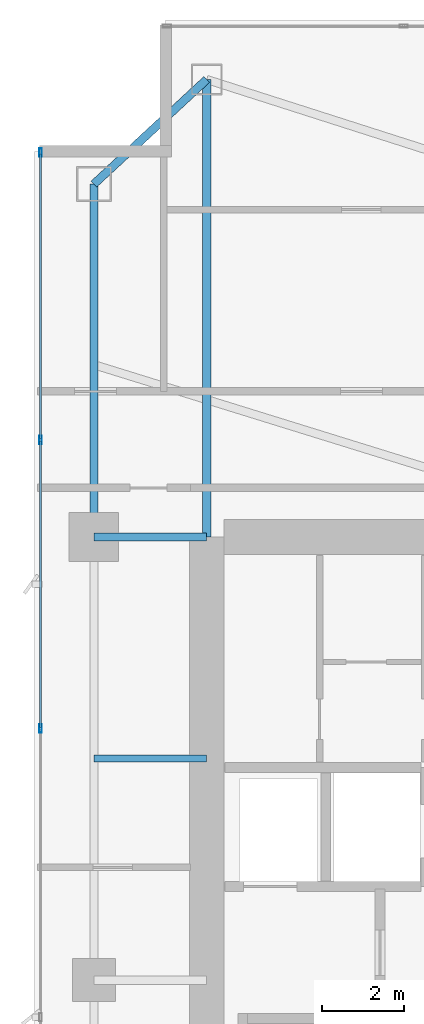
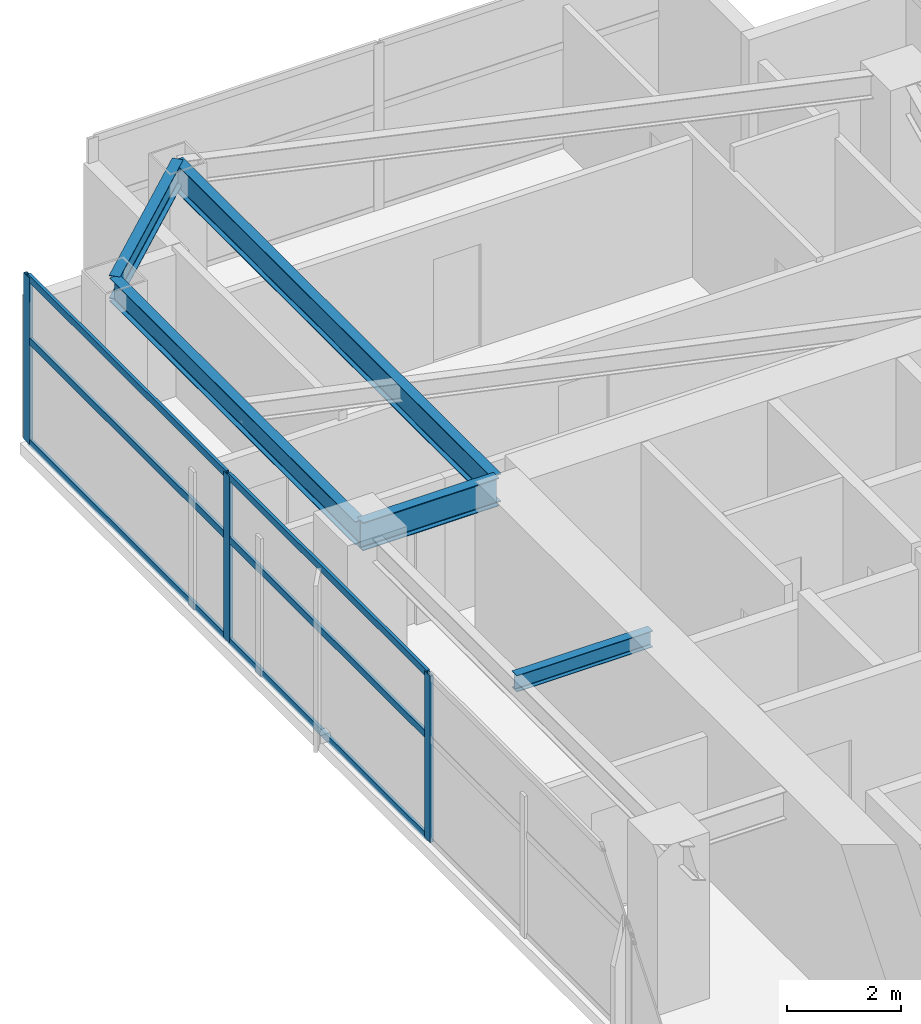
# One storey, part 16 of 29: 9 members, 5 beams, 1 element without a shape of its own.
"""IFC4 building model written with IfcOpenShell, lengths in metres."""

from ifc_helpers import new_model, si_unit, direction, frame, origin, origin_2d, place, context, subcontext, project, spatial, hollow_rectangle, i_section, extrude, material, layer, layer_set, material_profile, profile_set, type_object, element, aggregate, save


model = new_model("IFC4")

# Units and contexts
model_context = context("Model", 3, precision=1e-05, world=origin(), true_north=direction((0.0, 1.0)))
body_context = subcontext(model_context, "Body", "Model", "MODEL_VIEW")
ifc_project = project(units=[si_unit("LENGTHUNIT", "METRE"), si_unit("AREAUNIT", "SQUARE_METRE"), si_unit("VOLUMEUNIT", "CUBIC_METRE"), si_unit("PLANEANGLEUNIT", "RADIAN"), si_unit("MASSUNIT", "GRAM", prefix="KILO")], contexts=[model_context])

# Site, building, storey
site_placement = place(None, origin())
site = spatial("IfcSite", under=ifc_project, at=site_placement, CompositionType="ELEMENT")
building_placement = place(site_placement, origin())
building = spatial("IfcBuilding", under=site, at=building_placement, Name="Calvorn Quay Hotel", CompositionType="ELEMENT")
storey_placement = place(building_placement, frame((0.0, 0.0, 167.5)))
storey = spatial("IfcBuildingStorey", under=building, at=storey_placement, Name="L41", CompositionType="ELEMENT", Elevation=167.5)

# Beams
ifc_material_1 = material(Name="Steel Q355B", Category="steel")
ifc_material_profile_1 = material_profile(ifc_material_1, i_section(OverallWidth=0.199951171875, OverallDepth=0.60009765625, WebThickness=0.010986328125, FlangeThickness=0.01708984375, FilletRadius=0.01806640625, at=origin_2d()), Name="HN600x200x11x17")
ifc_profile_set_1 = profile_set([ifc_material_profile_1], Name="Steel Q355B")
beam_type_1 = type_object("IfcBeamType", Name="BM-GIRD-TYP", PredefinedType="BEAM", material=ifc_profile_set_1)
beam_1_placement = place(storey_placement, frame((1.449951171875, 38.39990234375, 3.239990234375), z_axis=(1.0, 0.0, 0.0), x_axis=(0.0, 1.0, 0.0)))
element("IfcBeam", 1, at=beam_1_placement, inside=storey, type_object=beam_type_1, Name="Beam BG-L41-W3", PredefinedType="BEAM", context=body_context, shape_type="SweptSolid", body=[
    extrude(i_section(OverallWidth=0.199951171875, OverallDepth=0.60009765625, WebThickness=0.010986328125, FlangeThickness=0.01708984375, FilletRadius=0.01806640625, at=origin_2d()), origin(), (0.0, 0.0, 1.0), 2.75),
])
beam_2_placement = place(storey_placement, frame((4.199951171875, 49.550048828125, 3.239990234375), z_axis=(0.0, -1.0, 0.0), x_axis=(1.0, 0.0, 0.0)))
element("IfcBeam", 2, at=beam_2_placement, inside=storey, type_object=beam_type_1, Name="Beam BG-L41-W5", PredefinedType="BEAM", context=body_context, shape_type="SweptSolid", body=[
    extrude(i_section(OverallWidth=0.199951171875, OverallDepth=0.60009765625, WebThickness=0.010986328125, FlangeThickness=0.01708984375, FilletRadius=0.01806640625, at=origin_2d()), origin(), (0.0, 0.0, 1.0), 11.150146484375),
])
ifc_material_2 = material(Name="Steel Q355B", Category="steel")
ifc_material_profile_2 = material_profile(ifc_material_2, i_section(OverallWidth=0.175048828125, OverallDepth=0.35009765625, WebThickness=0.007080078125, FlangeThickness=0.010986328125, FilletRadius=0.013916015625, at=origin_2d()), Name="HN350x175x7x11")
ifc_profile_set_2 = profile_set([ifc_material_profile_2], Name="Steel Q355B")
beam_type_2 = type_object("IfcBeamType", Name="BM-JOIST-SEC", PredefinedType="JOIST", material=ifc_profile_set_2)
beam_3_placement = place(storey_placement, frame((1.449951171875, 33.0, 3.364990234375), z_axis=(1.0, 0.0, 0.0), x_axis=(0.0, 1.0, 0.0)))
element("IfcBeam", 3, at=beam_3_placement, inside=storey, type_object=beam_type_2, Name="Beam BJ-L41-W4", PredefinedType="JOIST", context=body_context, shape_type="SweptSolid", body=[
    extrude(i_section(OverallWidth=0.175048828125, OverallDepth=0.35009765625, WebThickness=0.007080078125, FlangeThickness=0.010986328125, FilletRadius=0.013916015625, at=origin_2d()), origin(), (0.0, 0.0, 1.0), 2.75),
])
ifc_material_3 = material(Name="Steel Q355B", Category="steel")
ifc_material_profile_3 = material_profile(ifc_material_3, i_section(OverallWidth=0.199951171875, OverallDepth=0.5, WebThickness=0.010009765625, FlangeThickness=0.01611328125, FilletRadius=0.01611328125, at=origin_2d()), Name="HN500x200x10x16")
ifc_profile_set_3 = profile_set([ifc_material_profile_3], Name="Steel Q355B")
beam_type_3 = type_object("IfcBeamType", Name="BM-SPANDREL-Z1", PredefinedType="SPANDREL", material=ifc_profile_set_3)
beam_4_placement = place(storey_placement, frame((1.449951171875, 38.39990234375, 3.2900390625), z_axis=(0.0, 1.0, 0.0), x_axis=(-1.0, 0.0, 0.0)))
element("IfcBeam", 4, at=beam_4_placement, inside=storey, type_object=beam_type_3, Name="Beam BSP-L41-W4", PredefinedType="SPANDREL", context=body_context, shape_type="SweptSolid", body=[
    extrude(i_section(OverallWidth=0.199951171875, OverallDepth=0.5, WebThickness=0.010009765625, FlangeThickness=0.01611328125, FilletRadius=0.01611328125, at=origin_2d()), origin(), (0.0, 0.0, 1.0), 8.60009765625),
])
beam_5_placement = place(storey_placement, frame((1.449951171875, 47.0, 3.2900390625), z_axis=(0.733261665538, 0.679946563969, 0.0), x_axis=(-0.679946563969, 0.733261665538, 0.0)))
element("IfcBeam", 5, at=beam_5_placement, inside=storey, type_object=beam_type_3, Name="Beam BSP-L41-W5", PredefinedType="SPANDREL", context=body_context, shape_type="SweptSolid", body=[
    extrude(i_section(OverallWidth=0.199951171875, OverallDepth=0.5, WebThickness=0.010009765625, FlangeThickness=0.01611328125, FilletRadius=0.01611328125, at=origin_2d()), origin(), (0.0, 0.0, 1.0), 3.75048828125),
])

# Curtain wall, members
ifc_material_4 = material(Name="Pale Anodised Aluminium and Low-E Glass", Category="aluminium")
ifc_layer = layer(ifc_material_4, 0.219970703125)
ifc_layer_set = layer_set([ifc_layer], Name="CW-SYS-Z2")
curtain_wall_type = type_object("IfcCurtainWallType", Name="CW-SYS-Z2", PredefinedType="NOTDEFINED", material=ifc_layer_set)
curtain_wall_placement = place(storey_placement, origin())
curtain_wall = element("IfcCurtainWall", 6, at=curtain_wall_placement, inside=storey, type_object=curtain_wall_type, Name="Tower West Curtain Wall (L41)", PredefinedType="NOTDEFINED")
ifc_material_5 = material(Name="Pale Anodised Aluminium 6063-T6", Category="aluminium")
ifc_material_profile_4 = material_profile(ifc_material_5, hollow_rectangle(XDim=0.070068359375, YDim=0.199951171875, WallThickness=0.00390625, at=origin_2d()), Name="ALU-M200x70x4")
ifc_profile_set_4 = profile_set([ifc_material_profile_4], Name="Pale Anodised Aluminium 6063-T6")
member_type_1 = type_object("IfcMemberType", Name="CW-SYS-Z2-MUL", PredefinedType="MULLION", material=ifc_profile_set_4)
member_1_placement = place(storey_placement, frame((0.14990234375, 33.7333984375, 0.0), z_axis=(0.0, 0.0, 1.0), x_axis=(-1.0, 0.0, 0.0)))
member_1 = element("IfcMember", 7, at=member_1_placement, type_object=member_type_1, Name="CW-L41-W mullion 5", PredefinedType="MULLION", context=body_context, shape_type="SweptSolid", body=[
    extrude(hollow_rectangle(XDim=0.070068359375, YDim=0.199951171875, WallThickness=0.00390625, at=origin_2d()), origin(), (0.0, 0.0, 1.0), 3.56005859375),
])
member_2_placement = place(storey_placement, frame((0.14990234375, 40.7666015625, 0.0), z_axis=(0.0, 0.0, 1.0), x_axis=(-1.0, 0.0, 0.0)))
member_2 = element("IfcMember", 8, at=member_2_placement, type_object=member_type_1, Name="CW-L41-W mullion 6", PredefinedType="MULLION", context=body_context, shape_type="SweptSolid", body=[
    extrude(hollow_rectangle(XDim=0.070068359375, YDim=0.199951171875, WallThickness=0.00390625, at=origin_2d()), origin(), (0.0, 0.0, 1.0), 3.56005859375),
])
member_3_placement = place(storey_placement, frame((0.14990234375, 47.77001953125, 0.0), z_axis=(0.0, 0.0, 1.0), x_axis=(-1.0, 0.0, 0.0)))
member_3 = element("IfcMember", 9, at=member_3_placement, type_object=member_type_1, Name="CW-L41-W mullion 7", PredefinedType="MULLION", context=body_context, shape_type="SweptSolid", body=[
    extrude(hollow_rectangle(XDim=0.070068359375, YDim=0.199951171875, WallThickness=0.00390625, at=origin_2d()), origin(), (0.0, 0.0, 1.0), 3.56005859375),
])
ifc_material_6 = material(Name="Pale Anodised Aluminium 6063-T6", Category="aluminium")
ifc_material_profile_5 = material_profile(ifc_material_6, hollow_rectangle(XDim=0.06005859375, YDim=0.14990234375, WallThickness=0.00341796875, at=origin_2d()), Name="ALU-T150x60x3.5")
ifc_profile_set_5 = profile_set([ifc_material_profile_5], Name="Pale Anodised Aluminium 6063-T6")
member_type_2 = type_object("IfcMemberType", Name="CW-SYS-Z2-TRN", PredefinedType="USERDEFINED", material=ifc_profile_set_5)
member_4_placement = place(storey_placement, frame((0.14990234375, 33.763427734375, 0.030029296875), z_axis=(0.0, 1.0, 0.0), x_axis=(-1.0, 0.0, 0.0)))
member_4 = element("IfcMember", 10, at=member_4_placement, type_object=member_type_2, Name="CW-L41-W transom 5.1", ObjectType="TRANSOM", PredefinedType="USERDEFINED", context=body_context, shape_type="SweptSolid", body=[
    extrude(hollow_rectangle(XDim=0.06005859375, YDim=0.14990234375, WallThickness=0.00341796875, at=origin_2d()), origin(), (0.0, 0.0, 1.0), 6.97314453125),
])
member_5_placement = place(storey_placement, frame((0.14990234375, 33.763427734375, 2.199951171875), z_axis=(0.0, 1.0, 0.0), x_axis=(-1.0, 0.0, 0.0)))
member_5 = element("IfcMember", 11, at=member_5_placement, type_object=member_type_2, Name="CW-L41-W transom 5.2", ObjectType="TRANSOM", PredefinedType="USERDEFINED", context=body_context, shape_type="SweptSolid", body=[
    extrude(hollow_rectangle(XDim=0.06005859375, YDim=0.14990234375, WallThickness=0.00341796875, at=origin_2d()), origin(), (0.0, 0.0, 1.0), 6.97314453125),
])
member_6_placement = place(storey_placement, frame((0.14990234375, 33.763427734375, 3.530029296875), z_axis=(0.0, 1.0, 0.0), x_axis=(-1.0, 0.0, 0.0)))
member_6 = element("IfcMember", 12, at=member_6_placement, type_object=member_type_2, Name="CW-L41-W transom 5.3", ObjectType="TRANSOM", PredefinedType="USERDEFINED", context=body_context, shape_type="SweptSolid", body=[
    extrude(hollow_rectangle(XDim=0.06005859375, YDim=0.14990234375, WallThickness=0.00341796875, at=origin_2d()), origin(), (0.0, 0.0, 1.0), 6.97314453125),
])
member_7_placement = place(storey_placement, frame((0.14990234375, 40.796630859375, 0.030029296875), z_axis=(0.0, 1.0, 0.0), x_axis=(-1.0, 0.0, 0.0)))
member_7 = element("IfcMember", 13, at=member_7_placement, type_object=member_type_2, Name="CW-L41-W transom 6.1", ObjectType="TRANSOM", PredefinedType="USERDEFINED", context=body_context, shape_type="SweptSolid", body=[
    extrude(hollow_rectangle(XDim=0.06005859375, YDim=0.14990234375, WallThickness=0.00341796875, at=origin_2d()), origin(), (0.0, 0.0, 1.0), 6.943359375),
])
member_8_placement = place(storey_placement, frame((0.14990234375, 40.796630859375, 2.199951171875), z_axis=(0.0, 1.0, 0.0), x_axis=(-1.0, 0.0, 0.0)))
member_8 = element("IfcMember", 14, at=member_8_placement, type_object=member_type_2, Name="CW-L41-W transom 6.2", ObjectType="TRANSOM", PredefinedType="USERDEFINED", context=body_context, shape_type="SweptSolid", body=[
    extrude(hollow_rectangle(XDim=0.06005859375, YDim=0.14990234375, WallThickness=0.00341796875, at=origin_2d()), origin(), (0.0, 0.0, 1.0), 6.943359375),
])
member_9_placement = place(storey_placement, frame((0.14990234375, 40.796630859375, 3.530029296875), z_axis=(0.0, 1.0, 0.0), x_axis=(-1.0, 0.0, 0.0)))
member_9 = element("IfcMember", 15, at=member_9_placement, type_object=member_type_2, Name="CW-L41-W transom 6.3", ObjectType="TRANSOM", PredefinedType="USERDEFINED", context=body_context, shape_type="SweptSolid", body=[
    extrude(hollow_rectangle(XDim=0.06005859375, YDim=0.14990234375, WallThickness=0.00341796875, at=origin_2d()), origin(), (0.0, 0.0, 1.0), 6.943359375),
])
aggregate(curtain_wall, [member_1, member_2, member_3, member_4, member_5, member_6, member_7, member_8, member_9])

save(model, "model.ifc")
